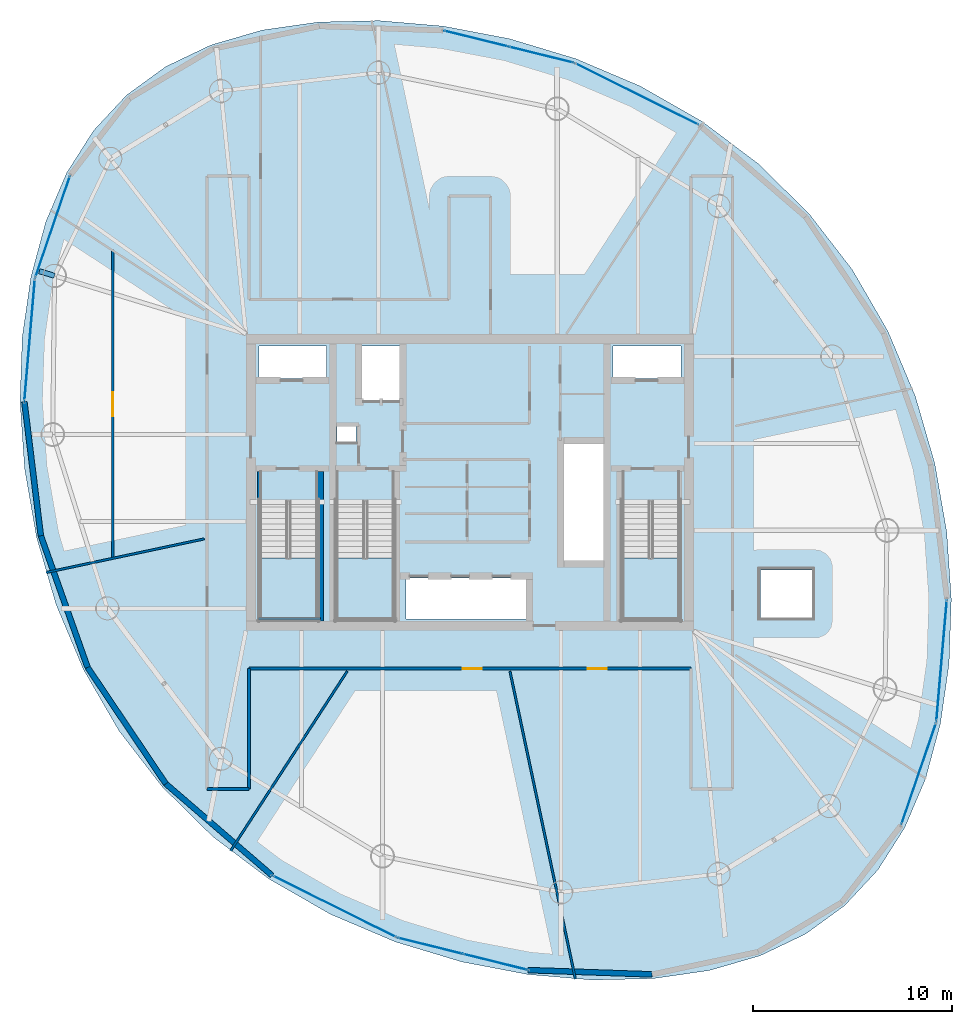
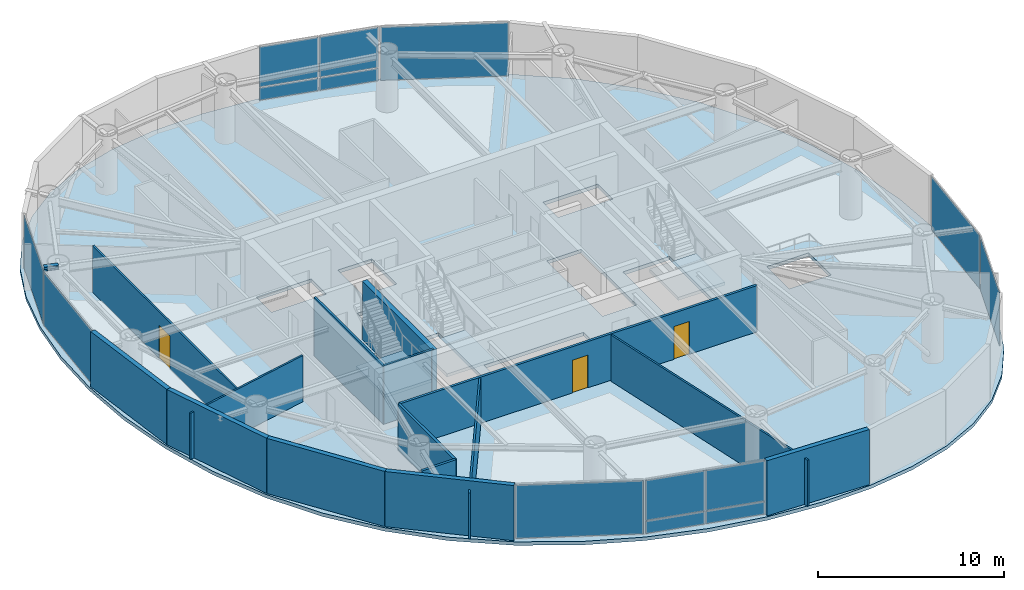
# One storey, part 15 of 22: 15 walls, 14 plates, 4 slabs, 3 doors, 1 beam, 3 openings, 11 elements without a shape of their own.
"""IFC4 building model written with IfcOpenShell, lengths in metres."""

from ifc_helpers import new_model, si_unit, direction, frame, frame_2d, origin, origin_2d, place, context, subcontext, project, spatial, polyline, rectangle, i_section, outline, extrude, material, layer, layer_set, material_profile, profile_set, type_object, element, fill, aggregate, save


model = new_model("IFC4")

# Units and contexts
model_context = context("Model", 3, precision=1e-05, world=origin(), true_north=direction((0.0, 1.0)))
body_context = subcontext(model_context, "Body", "Model", "MODEL_VIEW")
ifc_project = project(units=[si_unit("LENGTHUNIT", "METRE"), si_unit("AREAUNIT", "SQUARE_METRE"), si_unit("VOLUMEUNIT", "CUBIC_METRE"), si_unit("PLANEANGLEUNIT", "RADIAN"), si_unit("MASSUNIT", "GRAM", prefix="KILO")], contexts=[model_context])

# Site, building, storey
site_placement = place(None, origin())
site = spatial("IfcSite", under=ifc_project, at=site_placement, CompositionType="ELEMENT")
building_placement = place(site_placement, origin())
building = spatial("IfcBuilding", under=site, at=building_placement, Name="Bramvorn Convention Spire", CompositionType="ELEMENT")
storey_placement = place(building_placement, frame((0.0, 0.0, 225.10009765625)))
storey = spatial("IfcBuildingStorey", under=building, at=storey_placement, Name="L57", CompositionType="ELEMENT", Elevation=225.10009765625)

# Beam
ifc_material_1 = material(Name="Steel CSA G40.21 Grade 350 (350W)", Category="steel")
ifc_material_profile = material_profile(ifc_material_1, i_section(OverallWidth=0.25390625, OverallDepth=0.2529296875, WebThickness=0.008544921875, FlangeThickness=0.01416015625, FilletRadius=0.011962890625, at=origin_2d()))
ifc_profile_set = profile_set([ifc_material_profile], Name="Steel CSA G40.21 Grade 350 (350W) - W250X73")
beam_type = type_object("IfcBeamType", Name="BM-W250X73", PredefinedType="BEAM", material=ifc_profile_set)
beam_placement = place(storey_placement, frame((17.136962890625, 36.380615234375, 3.493408203125), z_axis=(-0.956599941343, 0.291404447841, 0.0), x_axis=(-0.291404447841, -0.956599941343, 0.0)))
element("IfcBeam", 1, at=beam_placement, inside=storey, type_object=beam_type, Name="L57 slab-edge cantilever tip beam MC10", PredefinedType="BEAM", context=body_context, shape_type="SweptSolid", body=[
    extrude(i_section(OverallWidth=0.25390625, OverallDepth=0.2529296875, WebThickness=0.008544921875, FlangeThickness=0.01416015625, FilletRadius=0.011962890625, at=origin_2d()), origin(), (0.0, 0.0, 1.0), 0.800048828125),
])

# Curtain wall, plate
ifc_material_2 = material(Name="Anodised Bronze Unitised Curtain Wall", Category="aluminium")
ifc_layer_1 = layer(ifc_material_2, 0.179931640625)
ifc_layer_set_1 = layer_set([ifc_layer_1], Name="Anodised Bronze Unitised Curtain Wall - CW-OFF-FRIT")
curtain_wall_type = type_object("IfcCurtainWallType", Name="CW-OFF-FRIT", PredefinedType="USERDEFINED", material=ifc_layer_set_1)
curtain_wall_1_placement = place(storey_placement, origin())
curtain_wall_1 = element("IfcCurtainWall", 2, at=curtain_wall_1_placement, inside=storey, type_object=curtain_wall_type, Name="L57 fritted glass curtain wall 02", ObjectType="UNITISED CURTAIN WALL", PredefinedType="USERDEFINED")
ifc_material_3 = material(Name="Laminated Low-E Glass (Triple IGU Solar Bronze Frit 28%)", Category="glass")
ifc_layer_2 = layer(ifc_material_3, 0.0400390625)
ifc_layer_set_2 = layer_set([ifc_layer_2], Name="Laminated Low-E Glass (Triple IGU Solar Bronze Frit 28%) - PNL-IGU-3")
plate_type = type_object("IfcPlateType", Name="PNL-IGU-3", PredefinedType="CURTAIN_PANEL", material=ifc_layer_set_2)
plate_1_placement = place(storey_placement, frame((60.550048828125, 11.360107421875, 0.059814453125), z_axis=(0.0, 0.0, 1.0), x_axis=(-0.323864859908, -0.946103351921, 0.0)))
plate_1 = element("IfcPlate", 3, at=plate_1_placement, type_object=plate_type, Name="CW3 panel 1.1", PredefinedType="CURTAIN_PANEL", context=body_context, shape_type="SweptSolid", body=[
    extrude(rectangle(XDim=5.3447265625, YDim=0.028076171875, at=origin_2d()), origin(), (0.0, 0.0, 1.0), 3.5),
])
aggregate(curtain_wall_1, [plate_1])

curtain_wall_2_placement = place(storey_placement, origin())
curtain_wall_2 = element("IfcCurtainWall", 4, at=curtain_wall_2_placement, inside=storey, type_object=curtain_wall_type, Name="L57 fritted glass curtain wall 03", ObjectType="UNITISED CURTAIN WALL", PredefinedType="USERDEFINED")
plate_2_placement = place(storey_placement, frame((61.702392578125, 17.046630859375, 0.059814453125), z_axis=(0.0, 0.0, 1.0), x_axis=(-0.08590950702, -0.996302944191, 0.0)))
plate_2 = element("IfcPlate", 5, at=plate_2_placement, type_object=plate_type, Name="CW3 panel 1.1", PredefinedType="CURTAIN_PANEL", context=body_context, shape_type="SweptSolid", body=[
    extrude(rectangle(XDim=6.106201171875, YDim=0.028076171875, at=origin_2d()), origin(), (0.0, 0.0, 1.0), 3.5),
])
aggregate(curtain_wall_2, [plate_2])

curtain_wall_3_placement = place(storey_placement, origin())
curtain_wall_3 = element("IfcCurtainWall", 6, at=curtain_wall_3_placement, inside=storey, type_object=curtain_wall_type, Name="L57 fritted glass curtain wall 08", ObjectType="UNITISED CURTAIN WALL", PredefinedType="USERDEFINED")
plate_3_placement = place(storey_placement, frame((46.389404296875, 45.51025390625, 0.059814453125), z_axis=(0.0, 0.0, 1.0), x_axis=(0.895252146654, -0.445559865686, 0.0)))
plate_3 = element("IfcPlate", 7, at=plate_3_placement, type_object=plate_type, Name="CW3 panel 1.1", PredefinedType="CURTAIN_PANEL", context=body_context, shape_type="SweptSolid", body=[
    extrude(rectangle(XDim=6.897705078125, YDim=0.028076171875, at=origin_2d()), origin(), (0.0, 0.0, 1.0), 3.5),
])
aggregate(curtain_wall_3, [plate_3])

# Curtain wall, plates
curtain_wall_4_placement = place(storey_placement, origin())
curtain_wall_4 = element("IfcCurtainWall", 8, at=curtain_wall_4_placement, inside=storey, type_object=curtain_wall_type, Name="L57 fritted glass curtain wall 09", ObjectType="UNITISED CURTAIN WALL", PredefinedType="USERDEFINED")
plate_4_placement = place(storey_placement, frame((38.3232421875, 48.292236328125, 0.059814453125), z_axis=(0.0, 0.0, 1.0), x_axis=(0.970728354888, -0.240180059573, 0.0)))
plate_4 = element("IfcPlate", 9, at=plate_4_placement, type_object=plate_type, Name="CW3 panel 1.1", PredefinedType="CURTAIN_PANEL", context=body_context, shape_type="SweptSolid", body=[
    extrude(rectangle(XDim=3.30224609375, YDim=0.028076171875, at=origin_2d()), origin(), (0.0, 0.0, 1.0), 0.81005859375),
])
plate_5_placement = place(storey_placement, frame((38.3232421875, 48.292236328125, 0.929931640625), z_axis=(0.0, 0.0, 1.0), x_axis=(0.970728354888, -0.240180059573, 0.0)))
plate_5 = element("IfcPlate", 10, at=plate_5_placement, type_object=plate_type, Name="CW3 panel 1.2", PredefinedType="CURTAIN_PANEL", context=body_context, shape_type="SweptSolid", body=[
    extrude(rectangle(XDim=3.30224609375, YDim=0.028076171875, at=origin_2d()), origin(), (0.0, 0.0, 1.0), 2.6298828125),
])
plate_6_placement = place(storey_placement, frame((41.587158203125, 47.484619140625, 0.059814453125), z_axis=(0.0, 0.0, 1.0), x_axis=(0.970728354888, -0.240180059573, 0.0)))
plate_6 = element("IfcPlate", 11, at=plate_6_placement, type_object=plate_type, Name="CW3 panel 2.1", PredefinedType="CURTAIN_PANEL", context=body_context, shape_type="SweptSolid", body=[
    extrude(rectangle(XDim=3.30224609375, YDim=0.028076171875, at=origin_2d()), origin(), (0.0, 0.0, 1.0), 0.81005859375),
])
plate_7_placement = place(storey_placement, frame((41.587158203125, 47.484619140625, 0.929931640625), z_axis=(0.0, 0.0, 1.0), x_axis=(0.970728354888, -0.240180059573, 0.0)))
plate_7 = element("IfcPlate", 12, at=plate_7_placement, type_object=plate_type, Name="CW3 panel 2.2", PredefinedType="CURTAIN_PANEL", context=body_context, shape_type="SweptSolid", body=[
    extrude(rectangle(XDim=3.30224609375, YDim=0.028076171875, at=origin_2d()), origin(), (0.0, 0.0, 1.0), 2.6298828125),
])
aggregate(curtain_wall_4, [plate_4, plate_5, plate_6, plate_7])

# Curtain wall, plate
curtain_wall_5_placement = place(storey_placement, origin())
curtain_wall_5 = element("IfcCurtainWall", 13, at=curtain_wall_5_placement, inside=storey, type_object=curtain_wall_type, Name="L57 fritted glass curtain wall 14", ObjectType="UNITISED CURTAIN WALL", PredefinedType="USERDEFINED")
plate_8_placement = place(storey_placement, frame((17.041748046875, 38.84375, 0.059814453125), z_axis=(0.0, 0.0, 1.0), x_axis=(0.323848479656, 0.94610895896, 0.0)))
plate_8 = element("IfcPlate", 14, at=plate_8_placement, type_object=plate_type, Name="CW3 panel 1.1", PredefinedType="CURTAIN_PANEL", context=body_context, shape_type="SweptSolid", body=[
    extrude(rectangle(XDim=5.344482421875, YDim=0.028076171875, at=origin_2d()), origin(), (0.0, 0.0, 1.0), 3.5),
])
aggregate(curtain_wall_5, [plate_8])

curtain_wall_6_placement = place(storey_placement, origin())
curtain_wall_6 = element("IfcCurtainWall", 15, at=curtain_wall_6_placement, inside=storey, type_object=curtain_wall_type, Name="L57 fritted glass curtain wall 15", ObjectType="UNITISED CURTAIN WALL", PredefinedType="USERDEFINED")
plate_9_placement = place(storey_placement, frame((15.889404296875, 33.1572265625, 0.059814453125), z_axis=(0.0, 0.0, 1.0), x_axis=(0.085925449291, 0.996301569388, 0.0)))
plate_9 = element("IfcPlate", 16, at=plate_9_placement, type_object=plate_type, Name="CW3 panel 1.1", PredefinedType="CURTAIN_PANEL", context=body_context, shape_type="SweptSolid", body=[
    extrude(rectangle(XDim=6.1064453125, YDim=0.028076171875, at=origin_2d()), origin(), (0.0, 0.0, 1.0), 3.5),
])
aggregate(curtain_wall_6, [plate_9])

curtain_wall_7_placement = place(storey_placement, origin())
curtain_wall_7 = element("IfcCurtainWall", 17, at=curtain_wall_7_placement, inside=storey, type_object=curtain_wall_type, Name="L57 fritted glass curtain wall 20", ObjectType="UNITISED CURTAIN WALL", PredefinedType="USERDEFINED")
plate_10_placement = place(storey_placement, frame((31.202392578125, 4.693603515625, 0.059814453125), z_axis=(0.0, 0.0, 1.0), x_axis=(-0.895249317698, 0.445565549791, 0.0)))
plate_10 = element("IfcPlate", 18, at=plate_10_placement, type_object=plate_type, Name="CW3 panel 1.1", PredefinedType="CURTAIN_PANEL", context=body_context, shape_type="SweptSolid", body=[
    extrude(rectangle(XDim=6.897705078125, YDim=0.028076171875, at=origin_2d()), origin(), (0.0, 0.0, 1.0), 3.5),
])
aggregate(curtain_wall_7, [plate_10])

# Curtain wall, plates
curtain_wall_8_placement = place(storey_placement, origin())
curtain_wall_8 = element("IfcCurtainWall", 19, at=curtain_wall_8_placement, inside=storey, type_object=curtain_wall_type, Name="L57 fritted glass curtain wall 21", ObjectType="UNITISED CURTAIN WALL", PredefinedType="USERDEFINED")
plate_11_placement = place(storey_placement, frame((39.2685546875, 1.911865234375, 0.059814453125), z_axis=(0.0, 0.0, 1.0), x_axis=(-0.970728354888, 0.240180059573, 0.0)))
plate_11 = element("IfcPlate", 20, at=plate_11_placement, type_object=plate_type, Name="CW3 panel 1.1", PredefinedType="CURTAIN_PANEL", context=body_context, shape_type="SweptSolid", body=[
    extrude(rectangle(XDim=3.30224609375, YDim=0.028076171875, at=origin_2d()), origin(), (0.0, 0.0, 1.0), 0.81005859375),
])
plate_12_placement = place(storey_placement, frame((39.2685546875, 1.911865234375, 0.929931640625), z_axis=(0.0, 0.0, 1.0), x_axis=(-0.970728354888, 0.240180059573, 0.0)))
plate_12 = element("IfcPlate", 21, at=plate_12_placement, type_object=plate_type, Name="CW3 panel 1.2", PredefinedType="CURTAIN_PANEL", context=body_context, shape_type="SweptSolid", body=[
    extrude(rectangle(XDim=3.30224609375, YDim=0.028076171875, at=origin_2d()), origin(), (0.0, 0.0, 1.0), 2.6298828125),
])
plate_13_placement = place(storey_placement, frame((36.004638671875, 2.71923828125, 0.059814453125), z_axis=(0.0, 0.0, 1.0), x_axis=(-0.970728354888, 0.240180059573, 0.0)))
plate_13 = element("IfcPlate", 22, at=plate_13_placement, type_object=plate_type, Name="CW3 panel 2.1", PredefinedType="CURTAIN_PANEL", context=body_context, shape_type="SweptSolid", body=[
    extrude(rectangle(XDim=3.30224609375, YDim=0.028076171875, at=origin_2d()), origin(), (0.0, 0.0, 1.0), 0.81005859375),
])
plate_14_placement = place(storey_placement, frame((36.004638671875, 2.71923828125, 0.929931640625), z_axis=(0.0, 0.0, 1.0), x_axis=(-0.970728354888, 0.240180059573, 0.0)))
plate_14 = element("IfcPlate", 23, at=plate_14_placement, type_object=plate_type, Name="CW3 panel 2.2", PredefinedType="CURTAIN_PANEL", context=body_context, shape_type="SweptSolid", body=[
    extrude(rectangle(XDim=3.30224609375, YDim=0.028076171875, at=origin_2d()), origin(), (0.0, 0.0, 1.0), 2.6298828125),
])
aggregate(curtain_wall_8, [plate_11, plate_12, plate_13, plate_14])

# Stair, slab
ifc_material_4 = material(Name="Concrete C40/50 Precast Stair", Category="concrete")
stair_type = type_object("IfcStairType", Name="ST-TOWER-1550", PredefinedType="HALF_TURN_STAIR", material=ifc_material_4)
stair_1_placement = place(storey_placement, origin())
stair_1 = element("IfcStair", 24, at=stair_1_placement, inside=storey, type_object=stair_type, Name="L57 Protected Exit Stair ST1", PredefinedType="HALF_TURN_STAIR")
ifc_material_5 = material(Name="Concrete C40/50 Stair Landing", Category="concrete")
ifc_layer_3 = layer(ifc_material_5, 0.219970703125)
ifc_layer_set_3 = layer_set([ifc_layer_3], Name="Concrete C40/50 Stair Landing - SLB-STAIR-LANDING")
slab_type_1 = type_object("IfcSlabType", Name="SLB-STAIR-LANDING", PredefinedType="LANDING", material=ifc_layer_set_3)
slab_1_placement = place(storey_placement, frame((0.0, 0.0, 1.724853515625)))
slab_1 = element("IfcSlab", 25, at=slab_1_placement, type_object=slab_type_1, Name="ST1 landing 1", PredefinedType="LANDING", context=body_context, shape_type="SweptSolid", body=[
    extrude(outline(polyline([(27.449951171875, 22.199951171875), (27.449951171875, 19.10009765625), (30.35009765625, 19.10009765625), (30.35009765625, 22.199951171875), (27.449951171875, 22.199951171875)])), origin(), (0.0, 0.0, 1.0), 0.199951171875),
])
aggregate(stair_1, [slab_1])

stair_2_placement = place(storey_placement, origin())
stair_2 = element("IfcStair", 26, at=stair_2_placement, inside=storey, type_object=stair_type, Name="L57 Protected Exit Stair ST2", PredefinedType="HALF_TURN_STAIR")
slab_2_placement = place(storey_placement, frame((0.0, 0.0, 1.724853515625)))
slab_2 = element("IfcSlab", 27, at=slab_2_placement, type_object=slab_type_1, Name="ST2 landing 1", PredefinedType="LANDING", context=body_context, shape_type="SweptSolid", body=[
    extrude(outline(polyline([(45.64990234375, 22.199951171875), (45.64990234375, 19.10009765625), (48.550048828125, 19.10009765625), (48.550048828125, 22.199951171875), (45.64990234375, 22.199951171875)])), origin(), (0.0, 0.0, 1.0), 0.199951171875),
])
aggregate(stair_2, [slab_2])

stair_3_placement = place(storey_placement, origin())
stair_3 = element("IfcStair", 28, at=stair_3_placement, inside=storey, type_object=stair_type, Name="L57 Protected Exit Stair ST3", PredefinedType="HALF_TURN_STAIR")
slab_3_placement = place(storey_placement, frame((0.0, 0.0, 1.724853515625)))
slab_3 = element("IfcSlab", 29, at=slab_3_placement, type_object=slab_type_1, Name="ST3 landing 1", PredefinedType="LANDING", context=body_context, shape_type="SweptSolid", body=[
    extrude(outline(polyline([(31.300048828125, 22.199951171875), (31.300048828125, 19.10009765625), (34.199951171875, 19.10009765625), (34.199951171875, 22.199951171875), (31.300048828125, 22.199951171875)])), origin(), (0.0, 0.0, 1.0), 0.199951171875),
])
aggregate(stair_3, [slab_3])

# Slab
ifc_material_6 = material(Name="Concrete C40/50", Category="concrete")
ifc_layer_4 = layer(ifc_material_6, 0.22998046875)
ifc_layer_set_4 = layer_set([ifc_layer_4], Name="Concrete C40/50 - SLB-Z3-230")
slab_type_2 = type_object("IfcSlabType", Name="SLB-Z3-230", PredefinedType="FLOOR", material=ifc_layer_set_4)
slab_4_placement = place(storey_placement, frame((0.0, 0.0, -0.22998046875)))
element("IfcSlab", 30, at=slab_4_placement, inside=storey, type_object=slab_type_2, Name="L57 tower floor slab", PredefinedType="FLOOR", context=body_context, shape_type="SweptSolid", body=[
    extrude(outline(polyline([(56.8369140625, 4.74609375), (58.494384765625, 6.52587890625), (59.845703125, 8.651123046875), (60.89453125, 11.10888671875), (61.640380859375, 13.87255859375), (62.076416015625, 16.900390625), (62.189453125, 20.13525390625), (61.959716796875, 23.505859375), (61.364501953125, 26.931396484375), (60.38330078125, 30.32568359375), (59.001708984375, 33.603271484375), (57.216796875, 36.68408203125), (55.041748046875, 39.500244140625), (52.507080078125, 41.998046875), (49.6630859375, 44.14013671875), (46.575439453125, 45.905517578125), (43.323486328125, 47.287353515625), (39.994384765625, 48.28955078125), (36.675537109375, 48.922607421875), (33.45068359375, 49.19921875), (30.392333984375, 49.1298828125), (27.55908203125, 48.7216796875), (24.9931640625, 47.9755859375), (22.720947265625, 46.889404296875), (20.7548828125, 45.457763671875), (19.097412109375, 43.677978515625), (17.74609375, 41.552734375), (16.697265625, 39.09521484375), (15.95166015625, 36.331298828125), (15.515380859375, 33.303466796875), (15.40234375, 30.068603515625), (15.632080078125, 26.697998046875), (16.227294921875, 23.2724609375), (17.20849609375, 19.878173828125), (18.590087890625, 16.6005859375), (20.375, 13.519775390625), (22.55029296875, 10.70361328125), (25.084716796875, 8.205810546875), (27.9287109375, 6.063720703125), (31.016357421875, 4.29833984375), (34.268310546875, 2.91650390625), (37.59765625, 1.914306640625), (40.916259765625, 1.28125), (44.14111328125, 1.004638671875), (47.19970703125, 1.073974609375), (50.03271484375, 1.482421875), (52.5986328125, 2.228271484375), (54.870849609375, 3.314697265625), (56.8369140625, 4.74609375)]), holes=[polyline([(27.449951171875, 25.050048828125), (27.449951171875, 19.10009765625), (30.35009765625, 19.10009765625), (30.35009765625, 25.050048828125), (27.449951171875, 25.050048828125)]), polyline([(45.64990234375, 25.050048828125), (45.64990234375, 19.10009765625), (48.550048828125, 19.10009765625), (48.550048828125, 25.050048828125), (45.64990234375, 25.050048828125)]), polyline([(31.300048828125, 25.050048828125), (31.300048828125, 19.10009765625), (34.199951171875, 19.10009765625), (34.199951171875, 25.050048828125), (31.300048828125, 25.050048828125)]), polyline([(27.39990234375, 31.219970703125), (30.800048828125, 31.219970703125), (30.800048828125, 32.85009765625), (27.39990234375, 32.85009765625), (27.39990234375, 31.219970703125)]), polyline([(45.199951171875, 31.219970703125), (48.60009765625, 31.219970703125), (48.60009765625, 32.85009765625), (45.199951171875, 32.85009765625), (45.199951171875, 31.219970703125)]), polyline([(32.449951171875, 30.14990234375), (34.56005859375, 30.14990234375), (34.56005859375, 32.85009765625), (32.449951171875, 32.85009765625), (32.449951171875, 30.14990234375)]), polyline([(34.800048828125, 19.14990234375), (40.97998046875, 19.14990234375), (40.97998046875, 21.199951171875), (34.800048828125, 21.199951171875), (34.800048828125, 19.14990234375)]), polyline([(42.6201171875, 22.0), (44.75, 22.0), (44.75, 28.0), (42.6201171875, 28.0), (42.6201171875, 22.0)]), polyline([(31.320068359375, 28.02001953125), (32.280029296875, 28.02001953125), (32.280029296875, 28.820068359375), (31.320068359375, 28.820068359375), (31.320068359375, 28.02001953125)]), polyline([(52.60009765625, 19.199951171875), (55.199951171875, 19.199951171875), (55.199951171875, 21.60009765625), (52.60009765625, 21.60009765625), (52.60009765625, 19.199951171875)])]), origin(), (0.0, 0.0, 1.0), 0.22998046875),
])

# Walls
ifc_material_7 = material(Name="Precast Concrete C40/50 with Bronze Terracotta Rainscreen", Category="masonry")
ifc_layer_5 = layer(ifc_material_7, 0.300048828125)
ifc_layer_set_5 = layer_set([ifc_layer_5], Name="Precast Concrete C40/50 with Bronze Terracotta Rainscreen - WL-EXT-BRONZE-300")
wall_type_1 = type_object("IfcWallType", Name="WL-EXT-BRONZE-300", PredefinedType="SOLIDWALL", material=ifc_layer_set_5)
wall_1_placement = place(storey_placement, frame((16.448486328125, 23.321533203125, 0.0), z_axis=(0.0, 0.0, 1.0), x_axis=(-0.121811070165, 0.992553304959, 0.0)))
element("IfcWall", 31, at=wall_1_placement, inside=storey, type_object=wall_type_1, Name="L57 expressed bronze Gothic lancet pier wall 16", PredefinedType="SOLIDWALL", context=body_context, shape_type="SweptSolid", body=[
    extrude(rectangle(XDim=6.784423828125, YDim=0.280029296875, at=frame_2d((3.39208984375, 0.0))), origin(), (0.0, 0.0, 1.0), 3.619873046875),
])
wall_2_placement = place(storey_placement, frame((18.7978515625, 16.708740234375, 0.0), z_axis=(0.0, 0.0, 1.0), x_axis=(-0.334775620093, 0.942297874449, 0.0)))
element("IfcWall", 32, at=wall_2_placement, inside=storey, type_object=wall_type_1, Name="L57 expressed bronze Gothic lancet pier wall 17", PredefinedType="SOLIDWALL", context=body_context, shape_type="SweptSolid", body=[
    extrude(rectangle(XDim=7.017822265625, YDim=0.280029296875, at=frame_2d((3.5087890625, 0.0))), origin(), (0.0, 0.0, 1.0), 3.619873046875),
])
wall_3_placement = place(storey_placement, frame((22.72802734375, 10.861083984375, 0.0), z_axis=(0.0, 0.0, 1.0), x_axis=(-0.557814907311, 0.829965378303, 0.0)))
element("IfcWall", 33, at=wall_3_placement, inside=storey, type_object=wall_type_1, Name="L57 expressed bronze Gothic lancet pier wall 18", PredefinedType="SOLIDWALL", context=body_context, shape_type="SweptSolid", body=[
    extrude(rectangle(XDim=7.045654296875, YDim=0.280029296875, at=frame_2d((3.52294921875, 0.0))), origin(), (0.0, 0.0, 1.0), 3.619873046875),
])
wall_4_placement = place(storey_placement, frame((28.06103515625, 6.257080078125, 0.0), z_axis=(0.0, 0.0, 1.0), x_axis=(-0.75694766073, 0.65347550751, 0.0)))
element("IfcWall", 34, at=wall_4_placement, inside=storey, type_object=wall_type_1, Name="L57 expressed bronze Gothic lancet pier wall 19", PredefinedType="SOLIDWALL", context=body_context, shape_type="SweptSolid", body=[
    extrude(rectangle(XDim=7.04541015625, YDim=0.280029296875, at=frame_2d((3.522705078125, 0.0))), origin(), (0.0, 0.0, 1.0), 3.619873046875),
])
wall_5_placement = place(storey_placement, frame((47.152099609375, 1.28662109375, 0.0), z_axis=(0.0, 0.0, 1.0), x_axis=(-0.999408557878, 0.03438799848, 0.0)))
element("IfcWall", 35, at=wall_5_placement, inside=storey, type_object=wall_type_1, Name="L57 expressed bronze Gothic lancet pier wall 22", PredefinedType="SOLIDWALL", context=body_context, shape_type="SweptSolid", body=[
    extrude(rectangle(XDim=6.226318359375, YDim=0.280029296875, at=frame_2d((3.11328125, 0.0))), origin(), (0.0, 0.0, 1.0), 3.619873046875),
])
ifc_material_8 = material(Name="Lightweight En-Suite & Wet-Wall Partition", Category="gypsum")
ifc_layer_6 = layer(ifc_material_8, 0.110107421875)
ifc_layer_set_6 = layer_set([ifc_layer_6], Name="Lightweight En-Suite & Wet-Wall Partition - WL-PART-110")
wall_type_2 = type_object("IfcWallType", Name="WL-PART-110", PredefinedType="PARTITIONING", material=ifc_layer_set_6)
wall_6_placement = place(storey_placement, frame((24.659912109375, 23.16455078125, 0.0), z_axis=(0.0, 0.0, 1.0), x_axis=(-0.978145481556, -0.207921660513, 0.0)))
element("IfcWall", 36, at=wall_6_placement, inside=storey, type_object=wall_type_2, Name="L57 Tenant suite partition 5", PredefinedType="PARTITIONING", context=body_context, shape_type="SweptSolid", body=[
    extrude(rectangle(XDim=8.123046875, YDim=0.110107421875, at=frame_2d((4.0615234375, 0.0))), origin(), (0.0, 0.0, 1.0), 3.034912109375),
])
wall_7_placement = place(storey_placement, frame((31.837158203125, 16.510009765625, 0.0), z_axis=(0.0, 0.0, 1.0), x_axis=(-0.544642773232, -0.838668140307, 0.0)))
element("IfcWall", 37, at=wall_7_placement, inside=storey, type_object=wall_type_2, Name="L57 Tenant suite partition 6", PredefinedType="PARTITIONING", context=body_context, shape_type="SweptSolid", body=[
    extrude(rectangle(XDim=10.753662109375, YDim=0.110107421875, at=frame_2d((5.376953125, 0.0))), origin(), (0.0, 0.0, 1.0), 3.034912109375),
])
wall_8_placement = place(storey_placement, frame((40.01708984375, 16.510009765625, 0.0), z_axis=(0.0, 0.0, 1.0), x_axis=(0.207916198269, -0.978146642635, 0.0)))
element("IfcWall", 38, at=wall_8_placement, inside=storey, type_object=wall_type_2, Name="L57 Tenant suite partition 7", PredefinedType="PARTITIONING", context=body_context, shape_type="SweptSolid", body=[
    extrude(rectangle(XDim=15.80859375, YDim=0.110107421875, at=frame_2d((7.904296875, 0.0))), origin(), (0.0, 0.0, 1.0), 3.034912109375),
])

# Wall, opening, door
wall_9_placement = place(storey_placement, frame((20.060791015625, 22.16650390625, 0.0), z_axis=(0.0, 0.0, 1.0), x_axis=(0.0, 1.0, 0.0)))
wall_9 = element("IfcWall", 39, at=wall_9_placement, inside=storey, type_object=wall_type_2, Name="L57 Associate Office Chamber 4 inner suite partition", PredefinedType="PARTITIONING", context=body_context, shape_type="SweptSolid", body=[
    extrude(rectangle(XDim=15.50732421875, YDim=0.110107421875, at=frame_2d((7.753662109375, 0.0))), origin(), (0.0, 0.0, 1.0), 3.034912109375),
])
opening_1_placement = place(wall_9_placement, frame((7.15380859375, 0.0, 0.0)))
opening_1 = element("IfcOpeningElement", 40, at=opening_1_placement, cuts=wall_9, Name="Opening DSL-12", PredefinedType="OPENING", context=body_context, shape_type="SweptSolid", body=[
    extrude(rectangle(XDim=1.199951171875, YDim=2.14990234375, at=frame_2d((0.60009765625, 1.074951171875))), frame((0.0, 0.06494140625, 0.0), z_axis=(0.0, -1.0, 0.0), x_axis=(1.0, 0.0, 0.0)), (0.0, 0.0, 1.0), 0.130126953125),
])
ifc_material_9 = material(Name="Pocket Sliding Bronze-Framed Glass Suite Door", Category="glass")
door_type_1 = type_object("IfcDoorType", Name="DR-SLIDE-1200", OperationType="NOTDEFINED", PredefinedType="DOOR", material=ifc_material_9)
door_1_placement = place(opening_1_placement, origin())
door_1 = element("IfcDoor", 41, at=door_1_placement, inside=storey, type_object=door_type_1, Name="L57 Inner Suite 4 door", OperationType="SLIDING_TO_RIGHT", OverallHeight=2.14990234375, OverallWidth=1.199951171875, PredefinedType="DOOR", context=body_context, shape_type="SweptSolid", body=[
    extrude(rectangle(XDim=1.199951171875, YDim=2.14990234375, at=frame_2d((0.60009765625, 1.074951171875))), frame((0.0, 0.02490234375, 0.0), z_axis=(0.0, -1.0, 0.0), x_axis=(1.0, 0.0, 0.0)), (0.0, 0.0, 1.0), 0.050048828125),
])
fill(opening_1, door_1)

# Wall, openings, doors
ifc_material_10 = material(Name="Acoustic Metal-Stud Tenant/Corridor Partition", Category="gypsum")
ifc_layer_7 = layer(ifc_material_10, 0.14990234375)
ifc_layer_set_7 = layer_set([ifc_layer_7], Name="Acoustic Metal-Stud Tenant/Corridor Partition - WL-PART-150")
wall_type_3 = type_object("IfcWallType", Name="WL-PART-150", PredefinedType="PARTITIONING", material=ifc_layer_set_7)
wall_10_placement = place(storey_placement, frame((26.89990234375, 16.64990234375, 0.0), z_axis=(0.0, 0.0, 1.0), x_axis=(1.0, 0.0, 0.0)))
wall_10 = element("IfcWall", 42, at=wall_10_placement, inside=storey, type_object=wall_type_3, Name="L57 South H-crossbar wall", PredefinedType="PARTITIONING", context=body_context, shape_type="SweptSolid", body=[
    extrude(rectangle(XDim=22.2001953125, YDim=0.14990234375, at=frame_2d((11.10009765625, 0.0))), origin(), (0.0, 0.0, 1.0), 3.034912109375),
])
opening_2_placement = place(wall_10_placement, frame((10.74365234375, 0.0, 0.0)))
opening_2 = element("IfcOpeningElement", 43, at=opening_2_placement, cuts=wall_10, Name="Opening DH-095", PredefinedType="OPENING", context=body_context, shape_type="SweptSolid", body=[
    extrude(rectangle(XDim=0.949951171875, YDim=2.14990234375, at=frame_2d((0.47509765625, 1.074951171875))), frame((0.0, 0.0849609375, 0.0), z_axis=(0.0, -1.0, 0.0), x_axis=(1.0, 0.0, 0.0)), (0.0, 0.0, 1.0), 0.169921875),
])
opening_3_placement = place(wall_10_placement, frame((17.033203125, 0.0, 0.0)))
opening_3 = element("IfcOpeningElement", 44, at=opening_3_placement, cuts=wall_10, Name="Opening DH-095", PredefinedType="OPENING", context=body_context, shape_type="SweptSolid", body=[
    extrude(rectangle(XDim=0.949951171875, YDim=2.14990234375, at=frame_2d((0.47509765625, 1.074951171875))), frame((0.0, 0.0849609375, 0.0), z_axis=(0.0, -1.0, 0.0), x_axis=(1.0, 0.0, 0.0)), (0.0, 0.0, 1.0), 0.169921875),
])
ifc_material_11 = material(Name="Solid-Core Acoustic Guestroom Entry Door", Category="wood")
door_type_2 = type_object("IfcDoorType", Name="DR-HOTEL-950", OperationType="NOTDEFINED", PredefinedType="DOOR", material=ifc_material_11)
door_2_placement = place(opening_2_placement, origin())
door_2 = element("IfcDoor", 45, at=door_2_placement, inside=storey, type_object=door_type_2, Name="L57 Associate Office Chamber 6 6 door", OperationType="SINGLE_SWING_RIGHT", OverallHeight=2.14990234375, OverallWidth=0.949951171875, PredefinedType="DOOR", context=body_context, shape_type="SweptSolid", body=[
    extrude(rectangle(XDim=0.949951171875, YDim=2.14990234375, at=frame_2d((0.47509765625, 1.074951171875))), frame((0.0, 0.02490234375, 0.0), z_axis=(0.0, -1.0, 0.0), x_axis=(1.0, 0.0, 0.0)), (0.0, 0.0, 1.0), 0.050048828125),
])
fill(opening_2, door_2)
door_3_placement = place(opening_3_placement, origin())
door_3 = element("IfcDoor", 46, at=door_3_placement, inside=storey, type_object=door_type_2, Name="L57 Arbitration Meeting Room 1 7 door", OperationType="SINGLE_SWING_LEFT", OverallHeight=2.14990234375, OverallWidth=0.949951171875, PredefinedType="DOOR", context=body_context, shape_type="SweptSolid", body=[
    extrude(rectangle(XDim=0.949951171875, YDim=2.14990234375, at=frame_2d((0.47509765625, 1.074951171875))), frame((0.0, 0.02490234375, 0.0), z_axis=(0.0, -1.0, 0.0), x_axis=(1.0, 0.0, 0.0)), (0.0, 0.0, 1.0), 0.050048828125),
])
fill(opening_3, door_3)

# Walls
wall_11_placement = place(storey_placement, frame((26.89990234375, 10.60009765625, 0.0), z_axis=(0.0, 0.0, 1.0), x_axis=(0.0, 1.0, 0.0)))
element("IfcWall", 47, at=wall_11_placement, inside=storey, type_object=wall_type_3, Name="L57 West gallery SE wall", PredefinedType="PARTITIONING", context=body_context, shape_type="SweptSolid", body=[
    extrude(rectangle(XDim=6.0498046875, YDim=0.14990234375, at=frame_2d((3.02490234375, 0.0))), origin(), (0.0, 0.0, 1.0), 3.034912109375),
])
wall_12_placement = place(storey_placement, frame((24.800048828125, 10.60009765625, 0.0), z_axis=(0.0, 0.0, 1.0), x_axis=(1.0, 0.0, 0.0)))
element("IfcWall", 48, at=wall_12_placement, inside=storey, type_object=wall_type_3, Name="L57 West gallery south end", PredefinedType="PARTITIONING", context=body_context, shape_type="SweptSolid", body=[
    extrude(rectangle(XDim=2.099853515625, YDim=0.14990234375, at=frame_2d((1.0498046875, 0.0))), origin(), (0.0, 0.0, 1.0), 3.034912109375),
])
ifc_material_12 = material(Name="Concrete C50/60", Category="concrete")
ifc_layer_8 = layer(ifc_material_12, 0.300048828125)
ifc_layer_set_8 = layer_set([ifc_layer_8], Name="Concrete C50/60 - WL-POD-STAIR-300")
wall_type_4 = type_object("IfcWallType", Name="WL-POD-STAIR-300", PredefinedType="SHEAR", material=ifc_layer_set_8)
wall_13_placement = place(storey_placement, frame((30.489990234375, 19.050048828125, 0.0), z_axis=(0.0, 0.0, 1.0), x_axis=(0.0, 1.0, 0.0)))
element("IfcWall", 49, at=wall_13_placement, inside=storey, type_object=wall_type_4, Name="L57 ST1 east bearing wall", PredefinedType="SHEAR", context=body_context, shape_type="SweptSolid", body=[
    extrude(rectangle(XDim=7.5, YDim=0.300048828125, at=frame_2d((3.75, 0.0))), origin(), (0.0, 0.0, 1.0), 3.849853515625),
])
ifc_layer_9 = layer(ifc_material_12, 0.1201171875)
ifc_layer_set_9 = layer_set([ifc_layer_9], Name="Concrete C50/60 - WL-STAIR-RC-120")
wall_type_5 = type_object("IfcWallType", Name="WL-STAIR-RC-120", PredefinedType="SHEAR", material=ifc_layer_set_9)
wall_14_placement = place(storey_placement, frame((27.39501953125, 19.10009765625, 0.0), z_axis=(0.0, 0.0, 1.0), x_axis=(0.0, 1.0, 0.0)))
element("IfcWall", 50, at=wall_14_placement, inside=storey, type_object=wall_type_5, Name="L57 ST1 west bearing shear wall", PredefinedType="SHEAR", context=body_context, shape_type="SweptSolid", body=[
    extrude(rectangle(XDim=7.449951171875, YDim=0.1201171875, at=frame_2d((3.72509765625, 0.0))), origin(), (0.0, 0.0, 1.0), 3.849853515625),
])
wall_15_placement = place(storey_placement, frame((27.39501953125, 19.159912109375, 0.0), z_axis=(0.0, 0.0, 1.0), x_axis=(1.0, 0.0, 0.0)))
element("IfcWall", 51, at=wall_15_placement, inside=storey, type_object=wall_type_5, Name="L57 ST1 south bearing shear wall", PredefinedType="SHEAR", context=body_context, shape_type="SweptSolid", body=[
    extrude(rectangle(XDim=3.094970703125, YDim=0.1201171875, at=frame_2d((1.54736328125, 0.0))), origin(), (0.0, 0.0, 1.0), 3.849853515625),
])

save(model, "model.ifc")
